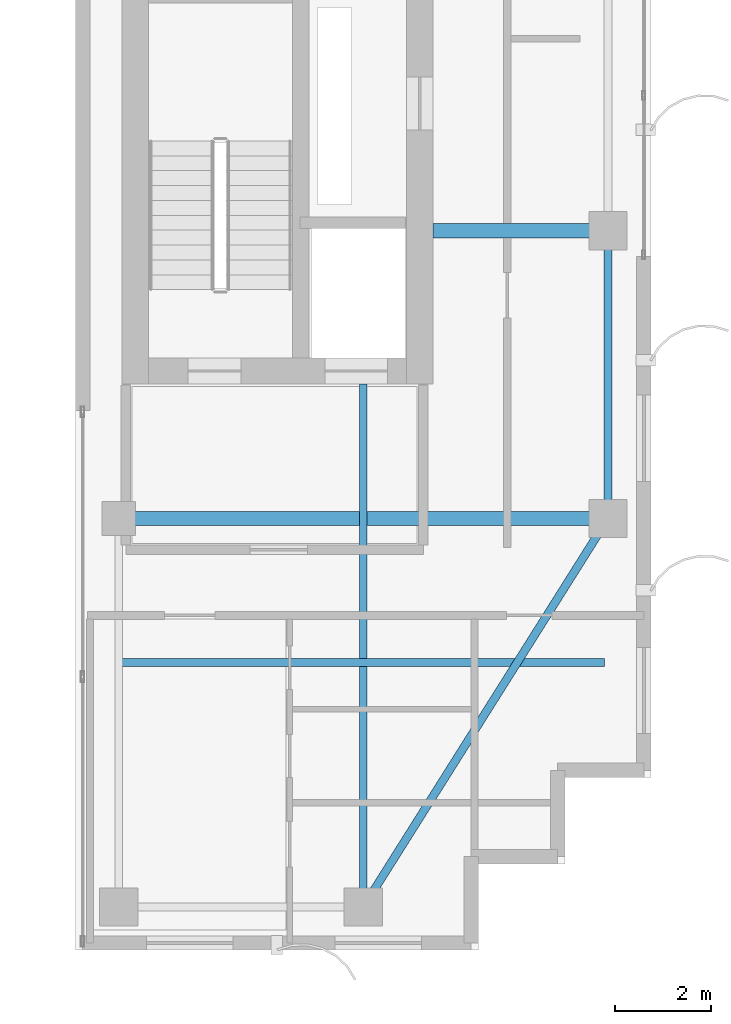
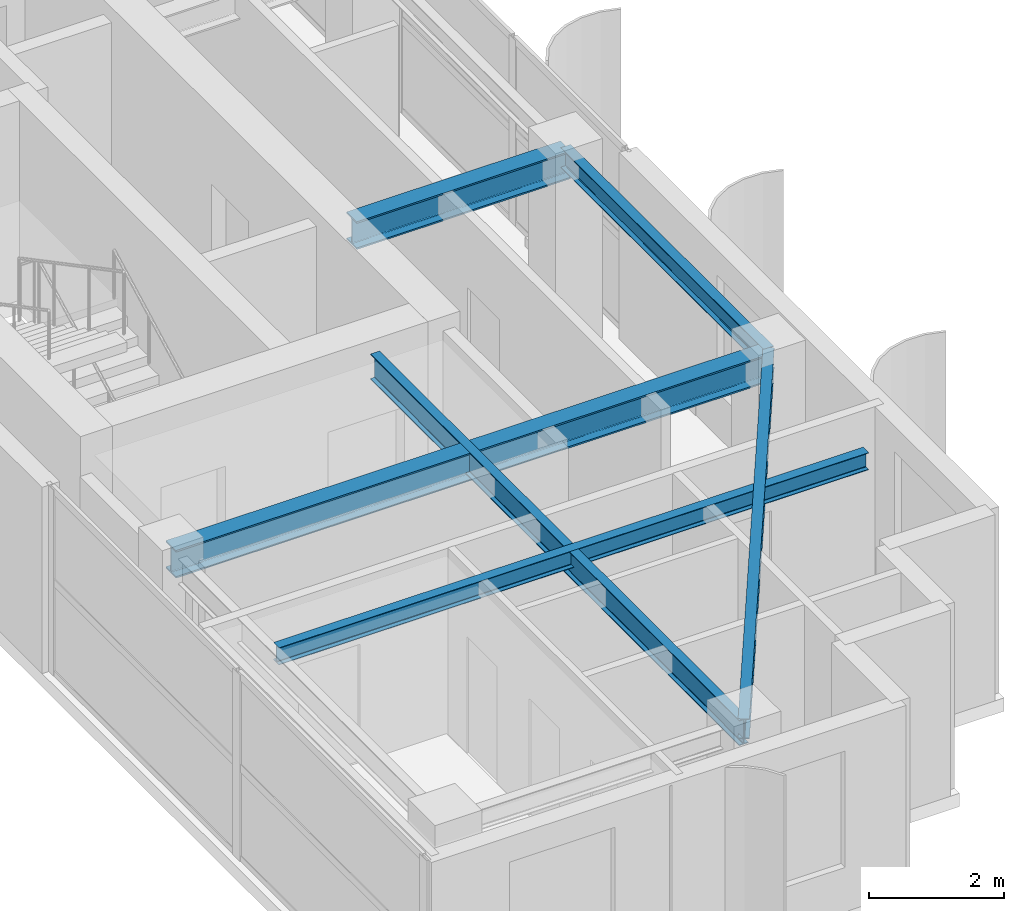
# One storey, part 11 of 24: 6 beams.
"""IFC4 building model written with IfcOpenShell, lengths in metres."""

import ifcopenshell
import ifcopenshell.guid

model = None  # the IFC model being written
_history = None  # IfcOwnerHistory: only IFC2X3 demands one
_inside = {}  # id of a spatial element -> (the spatial element, [elements in it])
_under = {}  # id of a project, library or spatial element -> (it, [spatial elements below it])
_declared = {}  # id of a project -> (the project, [libraries it declares])
_typed = {}  # id of a type object -> (the type object, [elements of that type])
_made_of = {}  # id of a material, layer set ... -> (it, [elements and type objects made of it])


def new_model(schema):
    """Start an empty IFC model of exactly this schema.

    Asked for "IFC4X3", IfcOpenShell would pick the latest addendum, in which some entities
    have other attributes; the version numbers below select the first issue.
    IFC2X3 requires an IfcOwnerHistory on every rooted entity: one is made here for all.
    """
    global model, _history
    if schema == "IFC4X3":
        model = ifcopenshell.file(schema_version=(4, 3, 0, 0))
    else:
        model = ifcopenshell.file(schema=schema)
    _inside.clear()
    _under.clear()
    _declared.clear()
    _typed.clear()
    _made_of.clear()
    _history = None
    if model.schema == "IFC2X3":
        org = make("IfcOrganization", Name="unknown")
        user = make(
            "IfcPersonAndOrganization",
            ThePerson=make("IfcPerson", FamilyName="unknown"),
            TheOrganization=org,
        )
        app = make(
            "IfcApplication",
            ApplicationDeveloper=org,
            Version="unknown",
            ApplicationFullName="unknown",
            ApplicationIdentifier="unknown",
        )
        _history = make(
            "IfcOwnerHistory",
            OwningUser=user,
            OwningApplication=app,
            ChangeAction="ADDED",
            CreationDate=0,
        )
    return model


def make(cls, **values):
    """One entity of the class cls with the attributes given. An attribute that is None is left unset."""
    return model.create_entity(
        cls, **{name: value for name, value in values.items() if value is not None}
    )


def rooted(cls, **values):
    """An entity with a GlobalId (a new one), such as an element, a storey or a relation."""
    return make(cls, GlobalId=ifcopenshell.guid.new(), OwnerHistory=_history, **values)


def si_unit(unit_type, name, prefix=None):
    """IfcSIUnit, for example si_unit("LENGTHUNIT", "METRE", prefix="MILLI")."""
    return make("IfcSIUnit", UnitType=unit_type, Prefix=prefix, Name=name)


def assignment(units):
    """IfcUnitAssignment: the units of a project."""
    return None if units is None else make("IfcUnitAssignment", Units=units)


def point(xyz):
    """IfcCartesianPoint."""
    return None if xyz is None else make("IfcCartesianPoint", Coordinates=xyz)


def direction(xyz):
    """IfcDirection."""
    return None if xyz is None else make("IfcDirection", DirectionRatios=xyz)


def frame(location, z_axis=None, x_axis=None):
    """IfcAxis2Placement3D, a coordinate frame: its origin and axes. An axis left out is left unset."""
    return make(
        "IfcAxis2Placement3D",
        Location=point(location),
        Axis=direction(z_axis),
        RefDirection=direction(x_axis),
    )


def frame_2d(location, x_axis=None):
    """IfcAxis2Placement2D, a coordinate frame in the plane: its origin and x axis."""
    return make(
        "IfcAxis2Placement2D", Location=point(location), RefDirection=direction(x_axis)
    )


def origin():
    """The frame at (0, 0, 0) with its axes left unset."""
    return frame((0.0, 0.0, 0.0))


def origin_2d():
    """The frame at (0, 0) in the plane with its x axis left unset."""
    return frame_2d((0.0, 0.0))


def place(relative_to, where):
    """IfcLocalPlacement: puts the frame where relative to a parent placement (None: the world)."""
    return make(
        "IfcLocalPlacement", PlacementRelTo=relative_to, RelativePlacement=where
    )


def context(
    kind, dimensions, precision=None, world=None, true_north=None, identifier=None
):
    """IfcGeometricRepresentationContext, for example the 3D "Model" context."""
    return make(
        "IfcGeometricRepresentationContext",
        ContextIdentifier=identifier,
        ContextType=kind,
        CoordinateSpaceDimension=dimensions,
        Precision=precision,
        WorldCoordinateSystem=world,
        TrueNorth=true_north,
    )


def subcontext(parent, identifier, kind, view, scale=None):
    """IfcGeometricRepresentationSubContext, for example "Body" below "Model"."""
    return make(
        "IfcGeometricRepresentationSubContext",
        ContextIdentifier=identifier,
        ContextType=kind,
        ParentContext=parent,
        TargetScale=scale,
        TargetView=view,
    )


def project(units=None, contexts=None):
    """IfcProject with its units and contexts."""
    return rooted(
        "IfcProject",
        Name="project",
        RepresentationContexts=contexts,
        UnitsInContext=assignment(units),
    )


def spatial(cls, under=None, at=None, **own):
    """A site, building, storey or space (cls), placed at a placement, below another one or the project."""
    s = rooted(cls, ObjectPlacement=at, **own)
    if under is not None:
        _under.setdefault(under.id(), (under, []))[1].append(s)
    return s


def profile(cls, at=None, kind="AREA", **sizes):
    """A parametric profile (cls). Its sizes go by their IFC names, for example OverallWidth=200.0."""
    return make(cls, ProfileType=kind, Position=at, **sizes)


def i_section(**sizes):
    """IfcIShapeProfileDef."""
    return profile("IfcIShapeProfileDef", **sizes)


def extrude(swept, where, along, depth):
    """IfcExtrudedAreaSolid: the profile swept, set in the frame where, extruded along a direction by depth."""
    return make(
        "IfcExtrudedAreaSolid",
        SweptArea=swept,
        Position=where,
        ExtrudedDirection=direction(along),
        Depth=depth,
    )


def shape(context_of_items, identifier, shape_type, items):
    """IfcShapeRepresentation: the items that make up one representation, for example the "Body"."""
    return make(
        "IfcShapeRepresentation",
        ContextOfItems=context_of_items,
        RepresentationIdentifier=identifier,
        RepresentationType=shape_type,
        Items=items,
    )


def source(mapping_origin, context_of_items, identifier, shape_type, items):
    """IfcRepresentationMap: a shape defined once, which mapped items show again and again."""
    return make(
        "IfcRepresentationMap",
        MappingOrigin=mapping_origin,
        MappedRepresentation=shape(context_of_items, identifier, shape_type, items),
    )


def transform(
    local_origin,
    x_axis=None,
    y_axis=None,
    z_axis=None,
    scale=None,
    scale2=None,
    scale3=None,
    uniform=True,
):
    """IfcCartesianTransformationOperator3D, or its non-uniform kind. x_axis, y_axis, z_axis: its Axis1, 2, 3."""
    if uniform:
        return make(
            "IfcCartesianTransformationOperator3D",
            Axis1=direction(x_axis),
            Axis2=direction(y_axis),
            LocalOrigin=point(local_origin),
            Scale=scale,
            Axis3=direction(z_axis),
        )
    return make(
        "IfcCartesianTransformationOperator3DnonUniform",
        Axis1=direction(x_axis),
        Axis2=direction(y_axis),
        LocalOrigin=point(local_origin),
        Scale=scale,
        Axis3=direction(z_axis),
        Scale2=scale2,
        Scale3=scale3,
    )


def mapped(mapping_source, mapping_target):
    """IfcMappedItem: shows the shape of a source again, moved by a transform."""
    return make(
        "IfcMappedItem", MappingSource=mapping_source, MappingTarget=mapping_target
    )


def material(Name=None, Category=None):
    """IfcMaterial."""
    return make("IfcMaterial", Name=Name, Category=Category)


def material_profile(
    of_material, cross_section, Name=None, Category=None, Priority=None
):
    """IfcMaterialProfile: a cross section and its material."""
    return make(
        "IfcMaterialProfile",
        Name=Name,
        Material=of_material,
        Profile=cross_section,
        Priority=Priority,
        Category=Category,
    )


def profile_set(profiles, Name=None, composite=None):
    """IfcMaterialProfileSet."""
    return make(
        "IfcMaterialProfileSet",
        Name=Name,
        MaterialProfiles=profiles,
        CompositeProfile=composite,
    )


def made_of(thing, what):
    """Note that an element or type object is made of a material, layer set ...; save() writes the relation."""
    if what is not None:
        _made_of.setdefault(what.id(), (what, []))[1].append(thing)
    return thing


def type_object(cls, material=None, **own):
    """A type object (cls), such as IfcWallType, which elements share."""
    return made_of(rooted(cls, **own), material)


def element(
    cls,
    number,
    at=None,
    inside=None,
    cuts=None,
    type_object=None,
    material=None,
    context=None,
    identifier="Body",
    shape_type=None,
    held_by="IfcProductDefinitionShape",
    body=None,
    shapes=None,
    **own,
):
    """One element of the class cls, such as IfcWall. Its Tag is "e" and its number.

    at: its placement. inside: the storey or other place that contains it. cuts: it is an
    opening in that element (IfcRelVoidsElement). A single representation is given by context,
    identifier, shape_type and body (its items); several are given by shapes. held_by: the class
    of the entity that holds the representations. save() writes the other relations.
    """
    e = rooted(cls, Tag="e%d" % number, ObjectPlacement=at, **own)
    if body is not None:
        shapes = [shape(context, identifier, shape_type, body)]
    if shapes is not None:
        e.Representation = make(held_by, Representations=shapes)
    if inside is not None:
        _inside.setdefault(inside.id(), (inside, []))[1].append(e)
    if cuts is not None:
        rooted(
            "IfcRelVoidsElement", RelatingBuildingElement=cuts, RelatedOpeningElement=e
        )
    if type_object is not None:
        _typed.setdefault(type_object.id(), (type_object, []))[1].append(e)
    return made_of(e, material)


def aggregate(whole, parts):
    """IfcRelAggregates: a whole, such as a stair, and the parts it consists of."""
    return rooted("IfcRelAggregates", RelatingObject=whole, RelatedObjects=parts)


def save(model, path):
    """Write the relations noted so far, then the file.

    IfcRelAggregates (storeys below a building ...), IfcRelContainedInSpatialStructure (elements
    in a storey), IfcRelDefinesByType, IfcRelAssociatesMaterial and IfcRelDeclares: one each for
    every whole, place, type object, material and project.
    """
    for whole, parts in _under.values():
        aggregate(whole, parts)
    for where, things in _inside.values():
        rooted(
            "IfcRelContainedInSpatialStructure",
            RelatedElements=things,
            RelatingStructure=where,
        )
    for kind, things in _typed.values():
        rooted("IfcRelDefinesByType", RelatedObjects=things, RelatingType=kind)
    for what, things in _made_of.values():
        rooted("IfcRelAssociatesMaterial", RelatedObjects=things, RelatingMaterial=what)
    for by, libraries in _declared.values():
        rooted("IfcRelDeclares", RelatingContext=by, RelatedDefinitions=libraries)
    model.write(path)


model = new_model("IFC4")

# Units and contexts
model_context = context("Model", 3, precision=1e-05, world=origin(), true_north=direction((0.0, 1.0)))
body_context = subcontext(model_context, "Body", "Model", "MODEL_VIEW")
ifc_project = project(units=[si_unit("LENGTHUNIT", "METRE"), si_unit("AREAUNIT", "SQUARE_METRE"), si_unit("VOLUMEUNIT", "CUBIC_METRE"), si_unit("PLANEANGLEUNIT", "RADIAN"), si_unit("MASSUNIT", "GRAM", prefix="KILO")], contexts=[model_context])

# Site, building, storey
site_placement = place(None, origin())
site = spatial("IfcSite", under=ifc_project, at=site_placement, CompositionType="ELEMENT")
building_placement = place(site_placement, origin())
building = spatial("IfcBuilding", under=site, at=building_placement, Name="Khoralis Quay Care Tower", CompositionType="ELEMENT")
storey_placement = place(building_placement, frame((0.0, 0.0, 234.89990234375)))
storey = spatial("IfcBuildingStorey", under=building, at=storey_placement, Name="L61", CompositionType="ELEMENT", Elevation=234.89990234375)

# Beams
ifc_material = material(Name="Steel S355", Category="steel")
ifc_material_profile_1 = material_profile(ifc_material, i_section(OverallWidth=0.169921875, OverallDepth=0.360107421875, WebThickness=0.008056640625, FlangeThickness=0.0126953125, FilletRadius=0.01806640625, at=origin_2d()), Name="Steel S355")
ifc_profile_set_1 = profile_set([ifc_material_profile_1], Name="Steel S355")
beam_type_1 = type_object("IfcBeamType", Name="BM-IPE360", PredefinedType="SPANDREL", material=ifc_profile_set_1)
shared_shape_1 = source(origin(), body_context, "Body", "SweptSolid", [
    extrude(i_section(OverallWidth=0.169921875, OverallDepth=0.360107421875, WebThickness=0.008056640625, FlangeThickness=0.0126953125, FilletRadius=0.01806640625, at=origin_2d()), origin(), (0.0, 0.0, 1.0), 6.0),
])
beam_1_placement = place(storey_placement, frame((41.10009765625, 12.0, 3.18017578125), z_axis=(0.0, 1.0, 0.0), x_axis=(-1.0, 0.0, 0.0)))
element("IfcBeam", 1, at=beam_1_placement, inside=storey, type_object=beam_type_1, Name="BM-TSP-L61-09", PredefinedType="SPANDREL", context=body_context, shape_type="MappedRepresentation", body=[
    mapped(shared_shape_1, transform((0.0, 0.0, 0.0), scale=1.0)),
])
shared_shape_2 = source(origin(), body_context, "Body", "SweptSolid", [
    extrude(i_section(OverallWidth=0.169921875, OverallDepth=0.360107421875, WebThickness=0.008056640625, FlangeThickness=0.0126953125, FilletRadius=0.01806640625, at=origin_2d()), origin(), (0.0, 0.0, 1.0), 9.572021484375),
])
beam_2_placement = place(storey_placement, frame((36.0, 3.89990234375, 3.18017578125), z_axis=(0.532815975602, 0.846231136359, 0.0), x_axis=(-0.846231136359, 0.532815975602, 0.0)))
element("IfcBeam", 2, at=beam_2_placement, inside=storey, type_object=beam_type_1, Name="BM-TCR-L61-14", PredefinedType="SPANDREL", context=body_context, shape_type="MappedRepresentation", body=[
    mapped(shared_shape_2, transform((0.0, 0.0, 0.0), scale=1.0)),
])
ifc_material_profile_2 = material_profile(ifc_material, i_section(OverallWidth=0.300048828125, OverallDepth=0.5, WebThickness=0.014404296875, FlangeThickness=0.028076171875, FilletRadius=0.027099609375, at=origin_2d()), Name="Steel S355")
ifc_profile_set_2 = profile_set([ifc_material_profile_2], Name="Steel S355")
beam_type_2 = type_object("IfcBeamType", Name="BM-HEB500", PredefinedType="BEAM", material=ifc_profile_set_2)
shared_shape_3 = source(origin(), body_context, "Body", "SweptSolid", [
    extrude(i_section(OverallWidth=0.300048828125, OverallDepth=0.5, WebThickness=0.014404296875, FlangeThickness=0.028076171875, FilletRadius=0.027099609375, at=origin_2d()), origin(), (0.0, 0.0, 1.0), 10.2001953125),
])
beam_3_placement = place(storey_placement, frame((30.89990234375, 12.0, 3.110107421875), z_axis=(1.0, 0.0, 0.0), x_axis=(0.0, 1.0, 0.0)))
element("IfcBeam", 3, at=beam_3_placement, inside=storey, type_object=beam_type_2, Name="BM-TGXE-L61-120", PredefinedType="BEAM", context=body_context, shape_type="MappedRepresentation", body=[
    mapped(shared_shape_3, transform((0.0, 0.0, 0.0), scale=1.0)),
])
shared_shape_4 = source(origin(), body_context, "Body", "SweptSolid", [
    extrude(i_section(OverallWidth=0.300048828125, OverallDepth=0.5, WebThickness=0.014404296875, FlangeThickness=0.028076171875, FilletRadius=0.027099609375, at=origin_2d()), origin(), (0.0, 0.0, 1.0), 3.652099609375),
])
beam_4_placement = place(storey_placement, frame((37.447998046875, 18.0, 3.110107421875), z_axis=(1.0, 0.0, 0.0), x_axis=(0.0, 1.0, 0.0)))
element("IfcBeam", 4, at=beam_4_placement, inside=storey, type_object=beam_type_2, Name="BM-TGXE-L61-180", PredefinedType="BEAM", context=body_context, shape_type="MappedRepresentation", body=[
    mapped(shared_shape_4, transform((0.0, 0.0, 0.0), scale=1.0)),
])
ifc_material_profile_3 = material_profile(ifc_material, i_section(OverallWidth=0.154052734375, OverallDepth=0.458984375, WebThickness=0.009033203125, FlangeThickness=0.015380859375, FilletRadius=0.014892578125, at=origin_2d()), Name="Steel S355")
ifc_profile_set_3 = profile_set([ifc_material_profile_3], Name="Steel S355")
beam_type_3 = type_object("IfcBeamType", Name="BM-W460X68", PredefinedType="BEAM", material=ifc_profile_set_3)
shared_shape_5 = source(origin(), body_context, "Body", "SweptSolid", [
    extrude(i_section(OverallWidth=0.154052734375, OverallDepth=0.458984375, WebThickness=0.009033203125, FlangeThickness=0.015380859375, FilletRadius=0.014892578125, at=origin_2d()), origin(), (0.0, 0.0, 1.0), 10.902099609375),
])
beam_5_placement = place(storey_placement, frame((36.0, 3.89990234375, 3.130615234375), z_axis=(0.0, 1.0, 0.0), x_axis=(-1.0, 0.0, 0.0)))
element("IfcBeam", 5, at=beam_5_placement, inside=storey, type_object=beam_type_3, Name="BM-TGYS-L61-360", PredefinedType="BEAM", context=body_context, shape_type="MappedRepresentation", body=[
    mapped(shared_shape_5, transform((0.0, 0.0, 0.0), scale=1.0)),
])
ifc_material_profile_4 = material_profile(ifc_material, i_section(OverallWidth=0.1650390625, OverallDepth=0.31005859375, WebThickness=0.005859375, FlangeThickness=0.009765625, FilletRadius=0.011962890625, at=origin_2d()), Name="Steel S355")
ifc_profile_set_4 = profile_set([ifc_material_profile_4], Name="Steel S355")
beam_type_4 = type_object("IfcBeamType", Name="BM-W310X39", PredefinedType="JOIST", material=ifc_profile_set_4)
shared_shape_6 = source(origin(), body_context, "Body", "SweptSolid", [
    extrude(i_section(OverallWidth=0.1650390625, OverallDepth=0.31005859375, WebThickness=0.005859375, FlangeThickness=0.009765625, FilletRadius=0.011962890625, at=origin_2d()), origin(), (0.0, 0.0, 1.0), 10.06396484375),
])
beam_6_placement = place(storey_placement, frame((30.965087890625, 9.0, 3.205078125), z_axis=(1.0, 0.0, 0.0), x_axis=(0.0, 1.0, 0.0)))
element("IfcBeam", 6, at=beam_6_placement, inside=storey, type_object=beam_type_4, Name="BM-TJS-L61-18", PredefinedType="JOIST", context=body_context, shape_type="MappedRepresentation", body=[
    mapped(shared_shape_6, transform((0.0, 0.0, 0.0), scale=1.0)),
])

save(model, "model.ifc")
